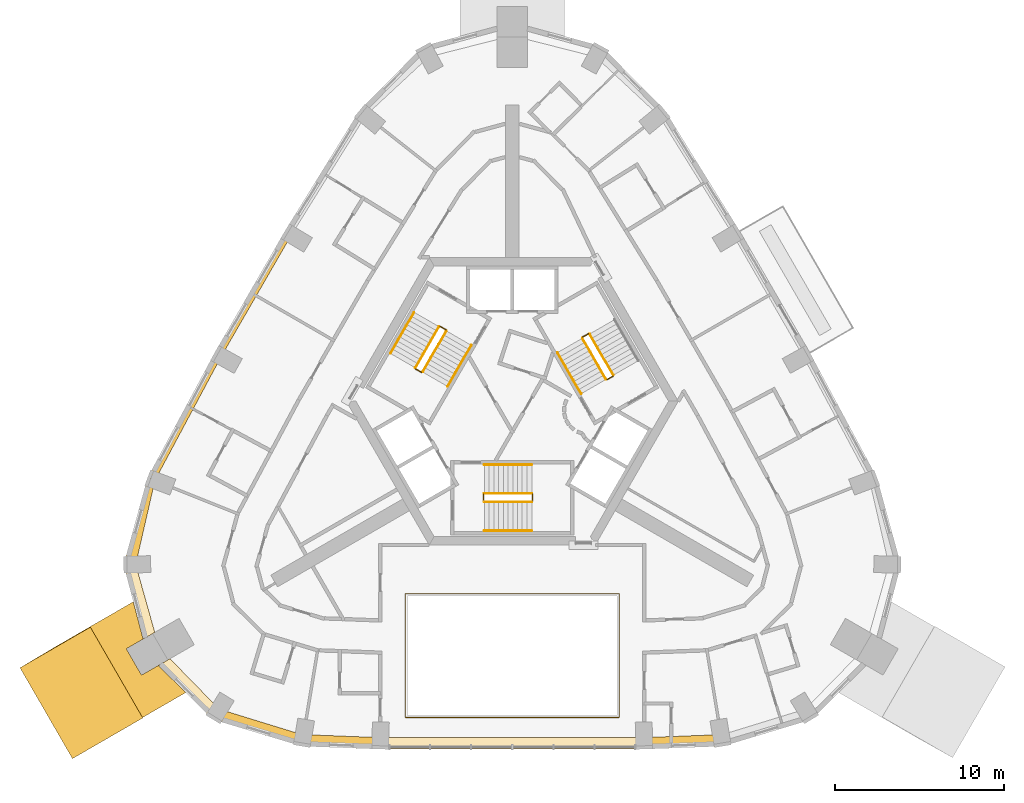
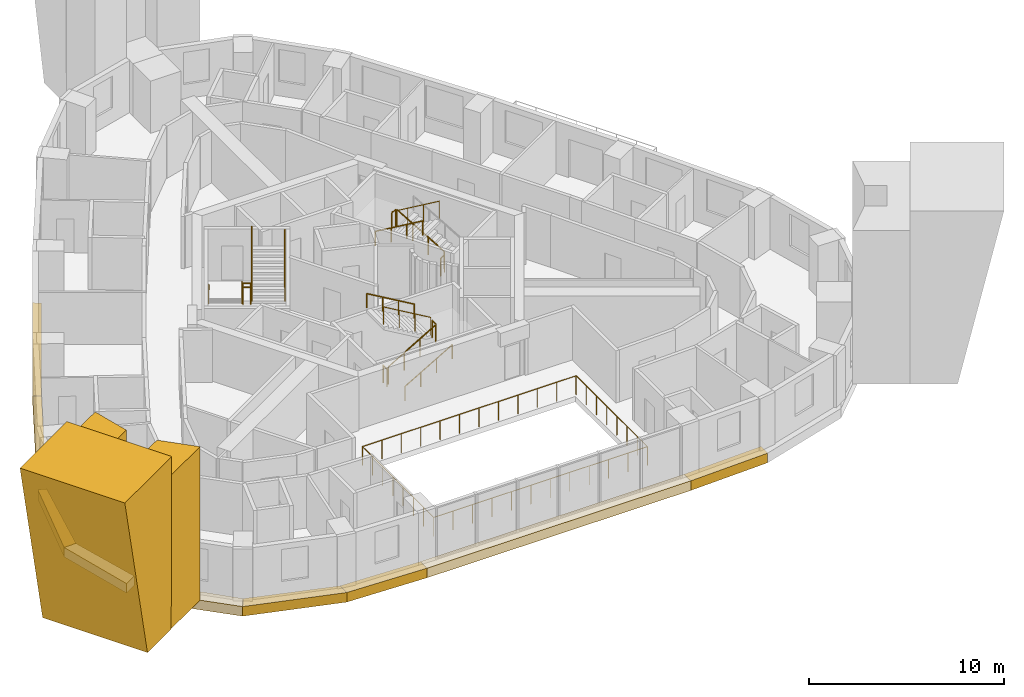
# One storey, part 10 of 11: 18 railings, 11 coverings.
"""IFC4 building model written with IfcOpenShell, lengths in metres."""

from ifc_helpers import new_model, si_unit, direction, frame, origin, origin_2d, place, context, subcontext, project, spatial, polyline, circle, outline, extrude, material, type_object, element, save


model = new_model("IFC4")

# Units and contexts
model_context = context("Model", 3, precision=1e-05, world=origin(), true_north=direction((0.0, 1.0)))
body_context = subcontext(model_context, "Body", "Model", "MODEL_VIEW")
ifc_project = project(units=[si_unit("LENGTHUNIT", "METRE"), si_unit("AREAUNIT", "SQUARE_METRE"), si_unit("VOLUMEUNIT", "CUBIC_METRE"), si_unit("PLANEANGLEUNIT", "RADIAN"), si_unit("MASSUNIT", "GRAM", prefix="KILO")], contexts=[model_context])

# Site, building, storey
site_placement = place(None, origin())
site = spatial("IfcSite", under=ifc_project, at=site_placement, CompositionType="ELEMENT")
building_placement = place(site_placement, origin())
building = spatial("IfcBuilding", under=site, at=building_placement, Name="Entoto Arch Interchange Tower", CompositionType="ELEMENT")
storey_placement = place(building_placement, frame((0.0, 0.0, 297.199951171875)))
storey = spatial("IfcBuildingStorey", under=building, at=storey_placement, Name="L69", CompositionType="ELEMENT", Elevation=297.199951171875)

# Railing
ifc_material_1 = material(Name="Stainless steel 1.4301", Category="steel")
railing_type_1 = type_object("IfcRailingType", Name="ATRIUM GUARD 1200 STEEL AND GLASS", PredefinedType="GUARDRAIL", material=ifc_material_1)
railing_1_placement = place(storey_placement, frame((6.320068359375, -16.18408203125, 0.0)))
element("IfcRailing", 1, at=railing_1_placement, inside=storey, type_object=railing_type_1, Name="Atrium guard L69", PredefinedType="GUARDRAIL", context=body_context, shape_type="SweptSolid", body=[
    extrude(circle(Radius=0.02392578125, at=origin_2d()), frame((0.0, 0.0, 1.17578125), z_axis=(-1.0, 0.0, 0.0), x_axis=(0.0, -1.0, 0.0)), (0.0, 0.0, 1.0), 12.64013671875),
    extrude(circle(Radius=0.02392578125, at=origin_2d()), frame((-12.64013671875, 0.0, 1.17578125), z_axis=(0.0, 1.0, 0.0), x_axis=(-1.0, 0.0, 0.0)), (0.0, 0.0, 1.0), 7.30419921875),
    extrude(circle(Radius=0.02392578125, at=origin_2d()), frame((-12.64013671875, 7.30419921875, 1.17578125), z_axis=(1.0, 0.0, 0.0), x_axis=(0.0, 1.0, 0.0)), (0.0, 0.0, 1.0), 12.64013671875),
    extrude(circle(Radius=0.02392578125, at=origin_2d()), frame((0.0, 7.30419921875, 1.17578125), z_axis=(0.0, -1.0, 0.0), x_axis=(1.0, 0.0, 0.0)), (0.0, 0.0, 1.0), 7.30419921875),
    extrude(circle(Radius=0.02099609375, at=origin_2d()), origin(), (0.0, 0.0, 1.0), 1.15185546875),
    extrude(circle(Radius=0.02099609375, at=origin_2d()), frame((-1.149169921875, 0.0, 0.0)), (0.0, 0.0, 1.0), 1.15185546875),
    extrude(circle(Radius=0.02099609375, at=origin_2d()), frame((-2.298095703125, 0.0, 0.0)), (0.0, 0.0, 1.0), 1.15185546875),
    extrude(circle(Radius=0.02099609375, at=origin_2d()), frame((-3.447265625, 0.0, 0.0)), (0.0, 0.0, 1.0), 1.15185546875),
    extrude(circle(Radius=0.02099609375, at=origin_2d()), frame((-4.596435546875, 0.0, 0.0)), (0.0, 0.0, 1.0), 1.15185546875),
    extrude(circle(Radius=0.02099609375, at=origin_2d()), frame((-5.74560546875, 0.0, 0.0)), (0.0, 0.0, 1.0), 1.15185546875),
    extrude(circle(Radius=0.02099609375, at=origin_2d()), frame((-6.89453125, 0.0, 0.0)), (0.0, 0.0, 1.0), 1.15185546875),
    extrude(circle(Radius=0.02099609375, at=origin_2d()), frame((-8.043701171875, 0.0, 0.0)), (0.0, 0.0, 1.0), 1.15185546875),
    extrude(circle(Radius=0.02099609375, at=origin_2d()), frame((-9.19287109375, 0.0, 0.0)), (0.0, 0.0, 1.0), 1.15185546875),
    extrude(circle(Radius=0.02099609375, at=origin_2d()), frame((-10.342041015625, 0.0, 0.0)), (0.0, 0.0, 1.0), 1.15185546875),
    extrude(circle(Radius=0.02099609375, at=origin_2d()), frame((-11.490966796875, 0.0, 0.0)), (0.0, 0.0, 1.0), 1.15185546875),
    extrude(circle(Radius=0.02099609375, at=origin_2d()), frame((-12.64013671875, 0.0, 0.0)), (0.0, 0.0, 1.0), 1.15185546875),
    extrude(circle(Radius=0.02099609375, at=origin_2d()), frame((-12.64013671875, 1.04345703125, 0.0)), (0.0, 0.0, 1.0), 1.15185546875),
    extrude(circle(Radius=0.02099609375, at=origin_2d()), frame((-12.64013671875, 2.0869140625, 0.0)), (0.0, 0.0, 1.0), 1.15185546875),
    extrude(circle(Radius=0.02099609375, at=origin_2d()), frame((-12.64013671875, 3.13037109375, 0.0)), (0.0, 0.0, 1.0), 1.15185546875),
    extrude(circle(Radius=0.02099609375, at=origin_2d()), frame((-12.64013671875, 4.173828125, 0.0)), (0.0, 0.0, 1.0), 1.15185546875),
    extrude(circle(Radius=0.02099609375, at=origin_2d()), frame((-12.64013671875, 5.21728515625, 0.0)), (0.0, 0.0, 1.0), 1.15185546875),
    extrude(circle(Radius=0.02099609375, at=origin_2d()), frame((-12.64013671875, 6.2607421875, 0.0)), (0.0, 0.0, 1.0), 1.15185546875),
    extrude(circle(Radius=0.02099609375, at=origin_2d()), frame((-12.64013671875, 7.30419921875, 0.0)), (0.0, 0.0, 1.0), 1.15185546875),
    extrude(circle(Radius=0.02099609375, at=origin_2d()), frame((-11.490966796875, 7.30419921875, 0.0)), (0.0, 0.0, 1.0), 1.15185546875),
    extrude(circle(Radius=0.02099609375, at=origin_2d()), frame((-10.342041015625, 7.30419921875, 0.0)), (0.0, 0.0, 1.0), 1.15185546875),
    extrude(circle(Radius=0.02099609375, at=origin_2d()), frame((-9.19287109375, 7.30419921875, 0.0)), (0.0, 0.0, 1.0), 1.15185546875),
    extrude(circle(Radius=0.02099609375, at=origin_2d()), frame((-8.043701171875, 7.30419921875, 0.0)), (0.0, 0.0, 1.0), 1.15185546875),
    extrude(circle(Radius=0.02099609375, at=origin_2d()), frame((-6.89453125, 7.30419921875, 0.0)), (0.0, 0.0, 1.0), 1.15185546875),
    extrude(circle(Radius=0.02099609375, at=origin_2d()), frame((-5.74560546875, 7.30419921875, 0.0)), (0.0, 0.0, 1.0), 1.15185546875),
    extrude(circle(Radius=0.02099609375, at=origin_2d()), frame((-4.596435546875, 7.30419921875, 0.0)), (0.0, 0.0, 1.0), 1.15185546875),
    extrude(circle(Radius=0.02099609375, at=origin_2d()), frame((-3.447265625, 7.30419921875, 0.0)), (0.0, 0.0, 1.0), 1.15185546875),
    extrude(circle(Radius=0.02099609375, at=origin_2d()), frame((-2.298095703125, 7.30419921875, 0.0)), (0.0, 0.0, 1.0), 1.15185546875),
    extrude(circle(Radius=0.02099609375, at=origin_2d()), frame((-1.149169921875, 7.30419921875, 0.0)), (0.0, 0.0, 1.0), 1.15185546875),
    extrude(circle(Radius=0.02099609375, at=origin_2d()), frame((0.0, 7.30419921875, 0.0)), (0.0, 0.0, 1.0), 1.15185546875),
    extrude(circle(Radius=0.02099609375, at=origin_2d()), frame((0.0, 6.2607421875, 0.0)), (0.0, 0.0, 1.0), 1.15185546875),
    extrude(circle(Radius=0.02099609375, at=origin_2d()), frame((0.0, 5.21728515625, 0.0)), (0.0, 0.0, 1.0), 1.15185546875),
    extrude(circle(Radius=0.02099609375, at=origin_2d()), frame((0.0, 4.173828125, 0.0)), (0.0, 0.0, 1.0), 1.15185546875),
    extrude(circle(Radius=0.02099609375, at=origin_2d()), frame((0.0, 3.13037109375, 0.0)), (0.0, 0.0, 1.0), 1.15185546875),
    extrude(circle(Radius=0.02099609375, at=origin_2d()), frame((0.0, 2.0869140625, 0.0)), (0.0, 0.0, 1.0), 1.15185546875),
    extrude(circle(Radius=0.02099609375, at=origin_2d()), frame((0.0, 1.04345703125, 0.0)), (0.0, 0.0, 1.0), 1.15185546875),
])

# Coverings
ifc_material_2 = material(Name="Board-marked precast concrete C50/60", Category="concrete")
covering_type_1 = type_object("IfcCoveringType", Name="PRECAST FRAME COURSE", PredefinedType="CLADDING", material=ifc_material_2)
covering_1_placement = place(storey_placement, frame((0.0, 0.0, -0.33984375)))
element("IfcCovering", 2, at=covering_1_placement, inside=storey, type_object=covering_type_1, Name="Corner pilaster SW L69-L71", PredefinedType="CLADDING", context=body_context, shape_type="SweptSolid", body=[
    extrude(outline(polyline([(-21.85302734375, -16.196044921875), (-24.952880859375, -10.825927734375), (-22.39892578125, -9.35205078125), (-21.821044921875, -11.55810546875), (-22.81298828125, -12.132080078125), (-21.9130859375, -13.68994140625), (-20.9208984375, -13.116943359375), (-19.299072265625, -14.721923828125), (-21.85302734375, -16.196044921875)])), origin(), (0.0, 0.0, 1.0), 9.599853515625),
])
covering_2_placement = place(storey_placement, frame((-24.952880859375, -10.825927734375, -0.33984375), z_axis=(-0.500071735297, 0.865978706298, 0.003023209479), x_axis=(-0.865982663595, -0.500074020874, 1.08695e-07)))
element("IfcCovering", 3, at=covering_2_placement, inside=storey, type_object=covering_type_1, Name="Corner rib SW L69-L71", PredefinedType="CLADDING", context=body_context, shape_type="SweptSolid", body=[
    extrude(outline(polyline([(0.0, 0.0), (2.429664794128577, 0.0), (4.8030926301814, 10.79985351976662), (-0.0005467488158166617, 10.799854305995185), (0.0, 0.0)])), origin(), (0.0, 0.0, -1.0), 6.199951171875),
])
covering_type_2 = type_object("IfcCoveringType", Name="PRECAST LEDGE COURSE", PredefinedType="CLADDING", material=ifc_material_2)
covering_3_placement = place(storey_placement, frame((0.0, 0.0, -0.93994140625)))
element("IfcCovering", 4, at=covering_3_placement, inside=storey, type_object=covering_type_2, Name="Precast course S-01 L69", PredefinedType="CLADDING", context=body_context, shape_type="SweptSolid", body=[
    extrude(outline(polyline([(-7.800048828125, -17.381103515625), (-7.800048828125, -18.06396484375), (-12.447998046875, -17.889892578125), (-12.447998046875, -17.197998046875), (-7.800048828125, -17.381103515625)])), origin(), (0.0, 0.0, 1.0), 0.60009765625),
])
covering_4_placement = place(storey_placement, frame((0.0, 0.0, -0.93994140625)))
element("IfcCovering", 5, at=covering_4_placement, inside=storey, type_object=covering_type_2, Name="Precast course S-02 L69", PredefinedType="CLADDING", context=body_context, shape_type="SweptSolid", body=[
    extrude(outline(polyline([(7.800048828125, -17.381103515625), (7.800048828125, -18.06396484375), (-7.800048828125, -18.06396484375), (-7.800048828125, -17.381103515625), (7.800048828125, -17.381103515625)])), origin(), (0.0, 0.0, 1.0), 0.60009765625),
])
covering_5_placement = place(storey_placement, frame((0.0, 0.0, -0.93994140625)))
element("IfcCovering", 6, at=covering_5_placement, inside=storey, type_object=covering_type_2, Name="Precast course S-03 L69", PredefinedType="CLADDING", context=body_context, shape_type="SweptSolid", body=[
    extrude(outline(polyline([(12.447998046875, -17.197998046875), (12.447998046875, -17.889892578125), (7.800048828125, -18.06396484375), (7.800048828125, -17.381103515625), (12.447998046875, -17.197998046875)])), origin(), (0.0, 0.0, 1.0), 0.60009765625),
])
covering_6_placement = place(storey_placement, frame((0.0, 0.0, -0.93994140625)))
element("IfcCovering", 7, at=covering_6_placement, inside=storey, type_object=covering_type_2, Name="Precast course NW-02 L69", PredefinedType="CLADDING", context=body_context, shape_type="SweptSolid", body=[
    extrude(outline(polyline([(-17.201904296875, 5.138916015625), (-17.595947265625, 5.35791015625), (-13.43798828125, 12.56005859375), (-13.051025390625, 12.327880859375), (-17.201904296875, 5.138916015625)])), origin(), (0.0, 0.0, 1.0), 0.60009765625),
])
covering_7_placement = place(storey_placement, frame((0.0, 0.0, -0.93994140625)))
element("IfcCovering", 8, at=covering_7_placement, inside=storey, type_object=covering_type_2, Name="Precast course NW-03 L69", PredefinedType="CLADDING", context=body_context, shape_type="SweptSolid", body=[
    extrude(outline(polyline([(-21.117919921875, -2.180908203125), (-21.556884765625, -2.01708984375), (-17.595947265625, 5.35791015625), (-17.201904296875, 5.138916015625), (-21.117919921875, -2.180908203125)])), origin(), (0.0, 0.0, 1.0), 0.60009765625),
])
covering_8_placement = place(storey_placement, frame((0.0, 0.0, -0.93994140625)))
element("IfcCovering", 9, at=covering_8_placement, inside=storey, type_object=covering_type_2, Name="Precast course SW-01 L69", PredefinedType="CLADDING", context=body_context, shape_type="SweptSolid", body=[
    extrude(outline(polyline([(-22.257080078125, -7.14794921875), (-22.971923828125, -7.1650390625), (-21.556884765625, -2.01708984375), (-21.117919921875, -2.180908203125), (-22.257080078125, -7.14794921875)])), origin(), (0.0, 0.0, 1.0), 0.60009765625),
])
covering_9_placement = place(storey_placement, frame((0.0, 0.0, -0.93994140625)))
element("IfcCovering", 10, at=covering_9_placement, inside=storey, type_object=covering_type_2, Name="Precast course SW-02 L69", PredefinedType="CLADDING", context=body_context, shape_type="SweptSolid", body=[
    extrude(outline(polyline([(-21.12890625, -11.159912109375), (-21.820068359375, -11.55908203125), (-22.971923828125, -7.1650390625), (-22.257080078125, -7.14794921875), (-21.12890625, -11.159912109375)])), origin(), (0.0, 0.0, 1.0), 0.60009765625),
])
covering_10_placement = place(storey_placement, frame((0.0, 0.0, -0.93994140625)))
element("IfcCovering", 11, at=covering_10_placement, inside=storey, type_object=covering_type_2, Name="Precast course SW-03 L69", PredefinedType="CLADDING", context=body_context, shape_type="SweptSolid", body=[
    extrude(outline(polyline([(-17.319091796875, -15.700927734375), (-17.69189453125, -16.31201171875), (-20.919921875, -13.117919921875), (-20.22900390625, -12.718994140625), (-17.319091796875, -15.700927734375)])), origin(), (0.0, 0.0, 1.0), 0.60009765625),
])
covering_11_placement = place(storey_placement, frame((0.0, 0.0, -0.93994140625)))
element("IfcCovering", 12, at=covering_11_placement, inside=storey, type_object=covering_type_2, Name="Precast course SW-04 L69", PredefinedType="CLADDING", context=body_context, shape_type="SweptSolid", body=[
    extrude(outline(polyline([(-12.447998046875, -17.197998046875), (-12.447998046875, -17.889892578125), (-17.69189453125, -16.31201171875), (-17.319091796875, -15.700927734375), (-12.447998046875, -17.197998046875)])), origin(), (0.0, 0.0, 1.0), 0.60009765625),
])

# Railings
railing_type_2 = type_object("IfcRailingType", Name="STAIR GUARD 1100 STEEL", PredefinedType="GUARDRAIL", material=ifc_material_1)
railing_2_placement = place(storey_placement, frame((-1.64990234375, -3.449951171875, 0.16357421875)))
element("IfcRailing", 13, at=railing_2_placement, inside=storey, type_object=railing_type_2, Name="L69 ST-S stair guard 1", PredefinedType="GUARDRAIL", context=body_context, shape_type="SweptSolid", body=[
    extrude(circle(Radius=0.02392578125, at=origin_2d()), frame((0.0, 0.0, 1.076171875), z_axis=(0.863341702679, 0.0, 0.504619762213), x_axis=(0.0, 1.0, 0.0)), (0.0, 0.0, 1.0), 3.242919921875),
    extrude(circle(Radius=0.02099609375, at=origin_2d()), origin(), (0.0, 0.0, 1.0), 1.052001953125),
    extrude(circle(Radius=0.02099609375, at=origin_2d()), frame((0.933349609375, 0.0, 0.54541015625)), (0.0, 0.0, 1.0), 1.052001953125),
    extrude(circle(Radius=0.02099609375, at=origin_2d()), frame((1.866455078125, 0.0, 1.091064453125)), (0.0, 0.0, 1.0), 1.052001953125),
    extrude(circle(Radius=0.02099609375, at=origin_2d()), frame((2.7998046875, 0.0, 1.636474609375)), (0.0, 0.0, 1.0), 1.052001953125),
])
railing_3_placement = place(storey_placement, frame((1.199951171875, -3.39990234375, 1.800048828125)))
element("IfcRailing", 14, at=railing_3_placement, inside=storey, type_object=railing_type_2, Name="L69 ST-S stair guard 2", PredefinedType="GUARDRAIL", context=body_context, shape_type="SweptSolid", body=[
    extrude(circle(Radius=0.02392578125, at=origin_2d()), frame((0.0, 0.0, 1.076171875), z_axis=(0.0, 1.0, 0.0), x_axis=(-1.0, 0.0, 0.0)), (0.0, 0.0, 1.0), 0.39990234375),
    extrude(circle(Radius=0.02099609375, at=origin_2d()), origin(), (0.0, 0.0, 1.0), 1.052001953125),
    extrude(circle(Radius=0.02099609375, at=origin_2d()), frame((0.0, 0.39990234375, 0.0)), (0.0, 0.0, 1.0), 1.052001953125),
])
railing_4_placement = place(storey_placement, frame((1.14990234375, -2.949951171875, 1.963623046875)))
element("IfcRailing", 15, at=railing_4_placement, inside=storey, type_object=railing_type_2, Name="L69 ST-S stair guard 3", PredefinedType="GUARDRAIL", context=body_context, shape_type="SweptSolid", body=[
    extrude(circle(Radius=0.02392578125, at=origin_2d()), frame((0.0, 0.0, 1.076171875), z_axis=(-0.863341702679, 0.0, 0.504619762213), x_axis=(0.0, -1.0, 0.0)), (0.0, 0.0, 1.0), 3.242919921875),
    extrude(circle(Radius=0.02099609375, at=origin_2d()), origin(), (0.0, 0.0, 1.0), 1.052001953125),
    extrude(circle(Radius=0.02099609375, at=origin_2d()), frame((-0.933349609375, 0.0, 0.54541015625)), (0.0, 0.0, 1.0), 1.052001953125),
    extrude(circle(Radius=0.02099609375, at=origin_2d()), frame((-1.866455078125, 0.0, 1.091064453125)), (0.0, 0.0, 1.0), 1.052001953125),
    extrude(circle(Radius=0.02099609375, at=origin_2d()), frame((-2.7998046875, 0.0, 1.636474609375)), (0.0, 0.0, 1.0), 1.052001953125),
])
railing_5_placement = place(storey_placement, frame((-1.699951171875, -3.39990234375, 0.0)))
element("IfcRailing", 16, at=railing_5_placement, inside=storey, type_object=railing_type_2, Name="L69 ST-S stair guard 4", PredefinedType="GUARDRAIL", context=body_context, shape_type="SweptSolid", body=[
    extrude(circle(Radius=0.02392578125, at=origin_2d()), frame((0.0, 0.0, 1.076171875), z_axis=(0.0, 1.0, 0.0), x_axis=(-1.0, 0.0, 0.0)), (0.0, 0.0, 1.0), 0.39990234375),
    extrude(circle(Radius=0.02099609375, at=origin_2d()), origin(), (0.0, 0.0, 1.0), 1.052001953125),
    extrude(circle(Radius=0.02099609375, at=origin_2d()), frame((0.0, 0.39990234375, 0.0)), (0.0, 0.0, 1.0), 1.052001953125),
])
railing_6_placement = place(storey_placement, frame((5.977783203125, 4.046142578125, 0.16357421875)))
element("IfcRailing", 17, at=railing_6_placement, inside=storey, type_object=railing_type_2, Name="L69 ST-NE stair guard 1", PredefinedType="GUARDRAIL", context=body_context, shape_type="SweptSolid", body=[
    extrude(circle(Radius=0.02392578125, at=origin_2d()), frame((0.0, 0.0, 1.076171875), z_axis=(-0.431660630283, 0.747689811644, 0.504607813879), x_axis=(-0.866034573852, -0.49998411664, 0.0)), (0.0, 0.0, 1.0), 3.2431640625),
    extrude(circle(Radius=0.02099609375, at=origin_2d()), origin(), (0.0, 0.0, 1.0), 1.052001953125),
    extrude(circle(Radius=0.02099609375, at=origin_2d()), frame((-0.466552734375, 0.808349609375, 0.54541015625)), (0.0, 0.0, 1.0), 1.052001953125),
    extrude(circle(Radius=0.02099609375, at=origin_2d()), frame((-0.933349609375, 1.616455078125, 1.091064453125)), (0.0, 0.0, 1.0), 1.052001953125),
    extrude(circle(Radius=0.02099609375, at=origin_2d()), frame((-1.39990234375, 2.4248046875, 1.636474609375)), (0.0, 0.0, 1.0), 1.052001953125),
])
railing_7_placement = place(storey_placement, frame((4.509521484375, 6.4892578125, 1.800048828125)))
element("IfcRailing", 18, at=railing_7_placement, inside=storey, type_object=railing_type_2, Name="L69 ST-NE stair guard 2", PredefinedType="GUARDRAIL", context=body_context, shape_type="SweptSolid", body=[
    extrude(circle(Radius=0.02392578125, at=origin_2d()), frame((0.0, 0.0, 1.076171875), z_axis=(-0.866094119867, -0.499880961361, 0.0), x_axis=(0.499880961361, -0.866094119867, 0.0)), (0.0, 0.0, 1.0), 0.39990234375),
    extrude(circle(Radius=0.02099609375, at=origin_2d()), origin(), (0.0, 0.0, 1.0), 1.052001953125),
    extrude(circle(Radius=0.02099609375, at=origin_2d()), frame((-0.346435546875, -0.199951171875, 0.0)), (0.0, 0.0, 1.0), 1.052001953125),
])
railing_8_placement = place(storey_placement, frame((4.144775390625, 6.220947265625, 1.963623046875)))
element("IfcRailing", 19, at=railing_8_placement, inside=storey, type_object=railing_type_2, Name="L69 ST-NE stair guard 3", PredefinedType="GUARDRAIL", context=body_context, shape_type="SweptSolid", body=[
    extrude(circle(Radius=0.02392578125, at=origin_2d()), frame((0.0, 0.0, 1.076171875), z_axis=(0.431721881032, -0.747665513933, 0.504591415616), x_axis=(0.865996816683, 0.500049511043, 0.0)), (0.0, 0.0, 1.0), 3.2431640625),
    extrude(circle(Radius=0.02099609375, at=origin_2d()), origin(), (0.0, 0.0, 1.0), 1.052001953125),
    extrude(circle(Radius=0.02099609375, at=origin_2d()), frame((0.466796875, -0.808349609375, 0.54541015625)), (0.0, 0.0, 1.0), 1.052001953125),
    extrude(circle(Radius=0.02099609375, at=origin_2d()), frame((0.933349609375, -1.616455078125, 1.091064453125)), (0.0, 0.0, 1.0), 1.052001953125),
    extrude(circle(Radius=0.02099609375, at=origin_2d()), frame((1.400146484375, -2.4248046875, 1.636474609375)), (0.0, 0.0, 1.0), 1.052001953125),
])
railing_9_placement = place(storey_placement, frame((5.95947265625, 3.977783203125, 0.0)))
element("IfcRailing", 20, at=railing_9_placement, inside=storey, type_object=railing_type_2, Name="L69 ST-NE stair guard 4", PredefinedType="GUARDRAIL", context=body_context, shape_type="SweptSolid", body=[
    extrude(circle(Radius=0.02392578125, at=origin_2d()), frame((0.0, 0.0, 1.076171875), z_axis=(-0.866094119867, -0.499880961361, 0.0), x_axis=(0.499880961361, -0.866094119867, 0.0)), (0.0, 0.0, 1.0), 0.39990234375),
    extrude(circle(Radius=0.02099609375, at=origin_2d()), origin(), (0.0, 0.0, 1.0), 1.052001953125),
    extrude(circle(Radius=0.02099609375, at=origin_2d()), frame((-0.346435546875, -0.199951171875, 0.0)), (0.0, 0.0, 1.0), 1.052001953125),
])
railing_10_placement = place(storey_placement, frame((-4.327880859375, 6.904052734375, 0.16357421875)))
element("IfcRailing", 21, at=railing_10_placement, inside=storey, type_object=railing_type_2, Name="L69 ST-NW stair guard 1", PredefinedType="GUARDRAIL", context=body_context, shape_type="SweptSolid", body=[
    extrude(circle(Radius=0.02392578125, at=origin_2d()), frame((0.0, 0.0, 1.076171875), z_axis=(-0.431636334334, -0.747723004699, 0.504579412111), x_axis=(0.866056369097, -0.49994636267, 0.0)), (0.0, 0.0, 1.0), 3.2431640625),
    extrude(circle(Radius=0.02099609375, at=origin_2d()), origin(), (0.0, 0.0, 1.0), 1.052001953125),
    extrude(circle(Radius=0.02099609375, at=origin_2d()), frame((-0.466552734375, -0.808349609375, 0.54541015625)), (0.0, 0.0, 1.0), 1.052001953125),
    extrude(circle(Radius=0.02099609375, at=origin_2d()), frame((-0.933349609375, -1.61669921875, 1.091064453125)), (0.0, 0.0, 1.0), 1.052001953125),
    extrude(circle(Radius=0.02099609375, at=origin_2d()), frame((-1.39990234375, -2.425048828125, 1.636474609375)), (0.0, 0.0, 1.0), 1.052001953125),
])
railing_11_placement = place(storey_placement, frame((-5.70947265625, 4.410888671875, 1.800048828125)))
element("IfcRailing", 22, at=railing_11_placement, inside=storey, type_object=railing_type_2, Name="L69 ST-NW stair guard 2", PredefinedType="GUARDRAIL", context=body_context, shape_type="SweptSolid", body=[
    extrude(circle(Radius=0.02392578125, at=origin_2d()), frame((0.0, 0.0, 1.076171875), z_axis=(0.865829829939, -0.500338590944, 0.0), x_axis=(0.500338590944, 0.865829829939, 0.0)), (0.0, 0.0, 1.0), 0.400146484375),
    extrude(circle(Radius=0.02099609375, at=origin_2d()), origin(), (0.0, 0.0, 1.0), 1.052001953125),
    extrude(circle(Radius=0.02099609375, at=origin_2d()), frame((0.346435546875, -0.2001953125, 0.0)), (0.0, 0.0, 1.0), 1.052001953125),
])
railing_12_placement = place(storey_placement, frame((-5.294921875, 4.22900390625, 1.963623046875)))
element("IfcRailing", 23, at=railing_12_placement, inside=storey, type_object=railing_type_2, Name="L69 ST-NW stair guard 3", PredefinedType="GUARDRAIL", context=body_context, shape_type="SweptSolid", body=[
    extrude(circle(Radius=0.02392578125, at=origin_2d()), frame((0.0, 0.0, 1.076171875), z_axis=(0.431697583215, 0.747698708645, 0.504563016616), x_axis=(-0.866018616679, 0.500011755427, 0.0)), (0.0, 0.0, 1.0), 3.243408203125),
    extrude(circle(Radius=0.02099609375, at=origin_2d()), origin(), (0.0, 0.0, 1.0), 1.052001953125),
    extrude(circle(Radius=0.02099609375, at=origin_2d()), frame((0.466796875, 0.808349609375, 0.54541015625)), (0.0, 0.0, 1.0), 1.052001953125),
    extrude(circle(Radius=0.02099609375, at=origin_2d()), frame((0.933349609375, 1.61669921875, 1.091064453125)), (0.0, 0.0, 1.0), 1.052001953125),
    extrude(circle(Radius=0.02099609375, at=origin_2d()), frame((1.400146484375, 2.425048828125, 1.636474609375)), (0.0, 0.0, 1.0), 1.052001953125),
])
railing_13_placement = place(storey_placement, frame((-4.259521484375, 6.92236328125, 0.0)))
element("IfcRailing", 24, at=railing_13_placement, inside=storey, type_object=railing_type_2, Name="L69 ST-NW stair guard 4", PredefinedType="GUARDRAIL", context=body_context, shape_type="SweptSolid", body=[
    extrude(circle(Radius=0.02392578125, at=origin_2d()), frame((0.0, 0.0, 1.076171875), z_axis=(0.865829829939, -0.500338590944, 0.0), x_axis=(0.500338590944, 0.865829829939, 0.0)), (0.0, 0.0, 1.0), 0.400146484375),
    extrude(circle(Radius=0.02099609375, at=origin_2d()), origin(), (0.0, 0.0, 1.0), 1.052001953125),
    extrude(circle(Radius=0.02099609375, at=origin_2d()), frame((0.346435546875, -0.2001953125, 0.0)), (0.0, 0.0, 1.0), 1.052001953125),
])
railing_type_3 = type_object("IfcRailingType", Name="STAIR HANDRAIL 900 STEEL", PredefinedType="HANDRAIL", material=ifc_material_1)
railing_14_placement = place(storey_placement, frame((-1.64990234375, -5.14990234375, 0.16357421875)))
element("IfcRailing", 25, at=railing_14_placement, inside=storey, type_object=railing_type_3, Name="L69 ST-S stair handrail 1", PredefinedType="HANDRAIL", context=body_context, shape_type="SweptSolid", body=[
    extrude(circle(Radius=0.02392578125, at=origin_2d()), frame((0.0, 0.0, 0.8759765625), z_axis=(0.863341702679, 0.0, 0.504619762213), x_axis=(0.0, 1.0, 0.0)), (0.0, 0.0, 1.0), 3.242919921875),
    extrude(circle(Radius=0.02099609375, at=origin_2d()), origin(), (0.0, 0.0, 1.0), 0.851806640625),
    extrude(circle(Radius=0.02099609375, at=origin_2d()), frame((0.933349609375, 0.0, 0.54541015625)), (0.0, 0.0, 1.0), 0.851806640625),
    extrude(circle(Radius=0.02099609375, at=origin_2d()), frame((1.866455078125, 0.0, 1.091064453125)), (0.0, 0.0, 1.0), 0.851806640625),
    extrude(circle(Radius=0.02099609375, at=origin_2d()), frame((2.7998046875, 0.0, 1.636474609375)), (0.0, 0.0, 1.0), 0.851806640625),
])
railing_15_placement = place(storey_placement, frame((1.14990234375, -1.25, 1.963623046875)))
element("IfcRailing", 26, at=railing_15_placement, inside=storey, type_object=railing_type_3, Name="L69 ST-S stair handrail 2", PredefinedType="HANDRAIL", context=body_context, shape_type="SweptSolid", body=[
    extrude(circle(Radius=0.02392578125, at=origin_2d()), frame((0.0, 0.0, 0.8759765625), z_axis=(-0.863341702679, 0.0, 0.504619762213), x_axis=(0.0, -1.0, 0.0)), (0.0, 0.0, 1.0), 3.242919921875),
    extrude(circle(Radius=0.02099609375, at=origin_2d()), origin(), (0.0, 0.0, 1.0), 0.851806640625),
    extrude(circle(Radius=0.02099609375, at=origin_2d()), frame((-0.933349609375, 0.0, 0.54541015625)), (0.0, 0.0, 1.0), 0.851806640625),
    extrude(circle(Radius=0.02099609375, at=origin_2d()), frame((-1.866455078125, 0.0, 1.091064453125)), (0.0, 0.0, 1.0), 0.851806640625),
    extrude(circle(Radius=0.02099609375, at=origin_2d()), frame((-2.7998046875, 0.0, 1.636474609375)), (0.0, 0.0, 1.0), 0.851806640625),
])
railing_16_placement = place(storey_placement, frame((2.672607421875, 5.370849609375, 1.963623046875)))
element("IfcRailing", 27, at=railing_16_placement, inside=storey, type_object=railing_type_3, Name="L69 ST-NE stair handrail 2", PredefinedType="HANDRAIL", context=body_context, shape_type="SweptSolid", body=[
    extrude(circle(Radius=0.02392578125, at=origin_2d()), frame((0.0, 0.0, 0.8759765625), z_axis=(0.431660630283, -0.747689811644, 0.504607813879), x_axis=(0.866034573852, 0.49998411664, 0.0)), (0.0, 0.0, 1.0), 3.2431640625),
    extrude(circle(Radius=0.02099609375, at=origin_2d()), origin(), (0.0, 0.0, 1.0), 0.851806640625),
    extrude(circle(Radius=0.02099609375, at=origin_2d()), frame((0.466552734375, -0.808349609375, 0.54541015625)), (0.0, 0.0, 1.0), 0.851806640625),
    extrude(circle(Radius=0.02099609375, at=origin_2d()), frame((0.933349609375, -1.616455078125, 1.091064453125)), (0.0, 0.0, 1.0), 0.851806640625),
    extrude(circle(Radius=0.02099609375, at=origin_2d()), frame((1.39990234375, -2.4248046875, 1.636474609375)), (0.0, 0.0, 1.0), 0.851806640625),
])
railing_17_placement = place(storey_placement, frame((-5.800048828125, 7.75390625, 0.16357421875)))
element("IfcRailing", 28, at=railing_17_placement, inside=storey, type_object=railing_type_3, Name="L69 ST-NW stair handrail 1", PredefinedType="HANDRAIL", context=body_context, shape_type="SweptSolid", body=[
    extrude(circle(Radius=0.02392578125, at=origin_2d()), frame((0.0, 0.0, 0.8759765625), z_axis=(-0.431721881032, -0.747665513933, 0.504591415616), x_axis=(0.865996816683, -0.500049511043, 0.0)), (0.0, 0.0, 1.0), 3.2431640625),
    extrude(circle(Radius=0.02099609375, at=origin_2d()), origin(), (0.0, 0.0, 1.0), 0.851806640625),
    extrude(circle(Radius=0.02099609375, at=origin_2d()), frame((-0.466796875, -0.808349609375, 0.54541015625)), (0.0, 0.0, 1.0), 0.851806640625),
    extrude(circle(Radius=0.02099609375, at=origin_2d()), frame((-0.933349609375, -1.616455078125, 1.091064453125)), (0.0, 0.0, 1.0), 0.851806640625),
    extrude(circle(Radius=0.02099609375, at=origin_2d()), frame((-1.400146484375, -2.4248046875, 1.636474609375)), (0.0, 0.0, 1.0), 0.851806640625),
])
railing_18_placement = place(storey_placement, frame((-3.822509765625, 3.379150390625, 1.963623046875)))
element("IfcRailing", 29, at=railing_18_placement, inside=storey, type_object=railing_type_3, Name="L69 ST-NW stair handrail 2", PredefinedType="HANDRAIL", context=body_context, shape_type="SweptSolid", body=[
    extrude(circle(Radius=0.02392578125, at=origin_2d()), frame((0.0, 0.0, 0.8759765625), z_axis=(0.431660630283, 0.747689811644, 0.504607813879), x_axis=(-0.866034573852, 0.49998411664, 0.0)), (0.0, 0.0, 1.0), 3.2431640625),
    extrude(circle(Radius=0.02099609375, at=origin_2d()), origin(), (0.0, 0.0, 1.0), 0.851806640625),
    extrude(circle(Radius=0.02099609375, at=origin_2d()), frame((0.466552734375, 0.808349609375, 0.54541015625)), (0.0, 0.0, 1.0), 0.851806640625),
    extrude(circle(Radius=0.02099609375, at=origin_2d()), frame((0.933349609375, 1.616455078125, 1.091064453125)), (0.0, 0.0, 1.0), 0.851806640625),
    extrude(circle(Radius=0.02099609375, at=origin_2d()), frame((1.39990234375, 2.4248046875, 1.636474609375)), (0.0, 0.0, 1.0), 0.851806640625),
])

save(model, "model.ifc")
